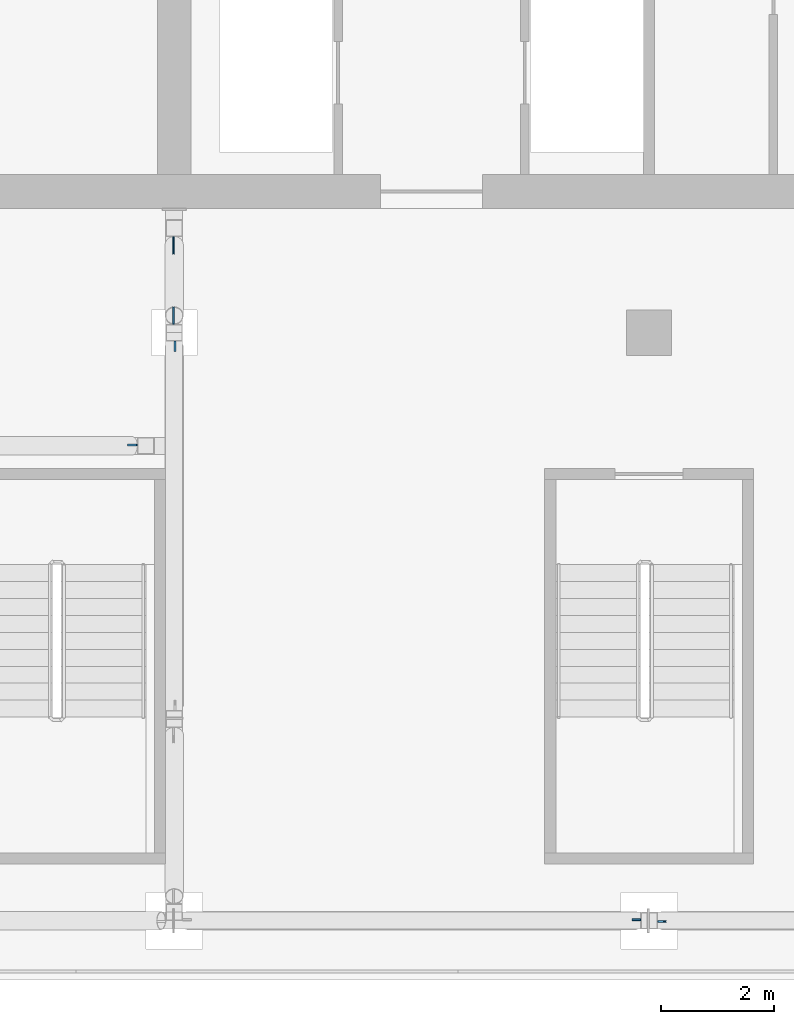
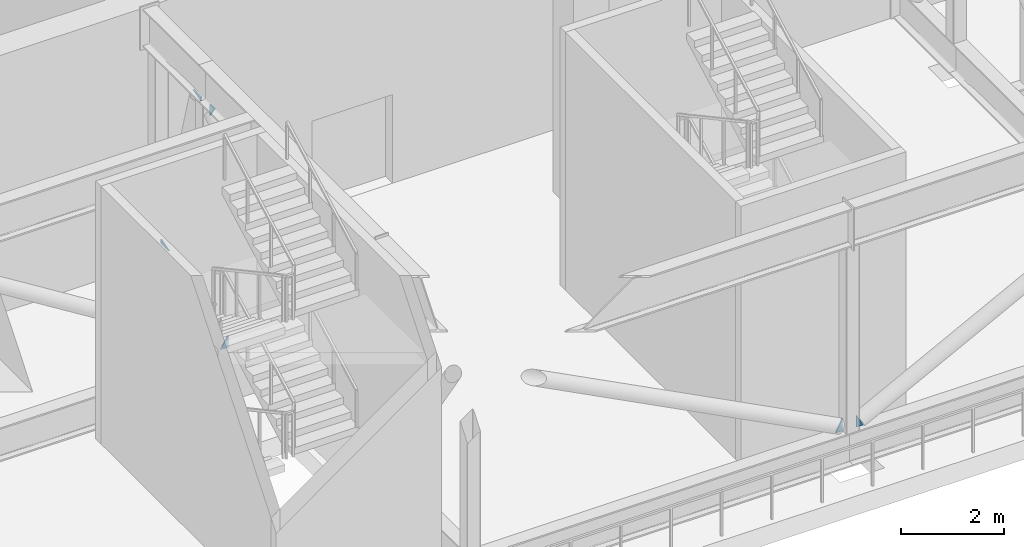
# One storey, part 11 of 24: 6 plates.
"""IFC4 building model written with IfcOpenShell, lengths in metres."""

from ifc_helpers import new_model, si_unit, direction, frame, origin, place, context, subcontext, project, spatial, polyline, outline, extrude, material, layer, layer_set, type_object, element, save


model = new_model("IFC4")

# Units and contexts
model_context = context("Model", 3, precision=1e-05, world=origin(), true_north=direction((0.0, 1.0)))
body_context = subcontext(model_context, "Body", "Model", "MODEL_VIEW")
ifc_project = project(units=[si_unit("LENGTHUNIT", "METRE"), si_unit("AREAUNIT", "SQUARE_METRE"), si_unit("VOLUMEUNIT", "CUBIC_METRE"), si_unit("PLANEANGLEUNIT", "RADIAN"), si_unit("MASSUNIT", "GRAM", prefix="KILO")], contexts=[model_context])

# Site, building, storey
site_placement = place(None, origin())
site = spatial("IfcSite", under=ifc_project, at=site_placement, CompositionType="ELEMENT")
building_placement = place(site_placement, origin())
building = spatial("IfcBuilding", under=site, at=building_placement, Name="Vermilion Ogive Tower", CompositionType="ELEMENT")
storey_placement = place(building_placement, frame((0.0, 0.0, 216.949951171875)))
storey = spatial("IfcBuildingStorey", under=building, at=storey_placement, Name="L57", CompositionType="ELEMENT", Elevation=216.949951171875)

# Plates
ifc_material = material(Name="Steel S355", Category="steel")
ifc_layer = layer(ifc_material, 0.030029296875)
ifc_layer_set = layer_set([ifc_layer], Name="Truss gusset plate 30")
plate_type = type_object("IfcPlateType", Name="Truss gusset plate 30", PredefinedType="USERDEFINED", material=ifc_layer_set)
plate_1_placement = place(storey_placement, frame((-9.050048828125, -12.60009765625, 1.072998046875), z_axis=(0.0, -1.0, 0.0), x_axis=(-0.535555164897, 0.0, -0.844500245916)))
element("IfcPlate", 1, at=plate_1_placement, inside=storey, type_object=plate_type, Name="Gusset plate L57-TR-EWW-12.6-D0A", ObjectType="GUSSET PLATE", PredefinedType="USERDEFINED", context=body_context, shape_type="SweptSolid", body=[
    extrude(outline(polyline([(0.0, 0.0), (0.32320798018702057, 0.0), (0.23050568235699517, 0.14617936385609087), (0.0, 0.0)])), origin(), (0.0, 0.0, -1.0), 0.030029296875),
])
plate_2_placement = place(storey_placement, frame((-8.39990234375, -8.89990234375, 0.8984375), z_axis=(1.0, 0.0, 0.0), x_axis=(0.0, -0.952538100641, -0.304419392988)))
element("IfcPlate", 2, at=plate_2_placement, inside=storey, type_object=plate_type, Name="Gusset plate L57-TR-NS-8.4-D0A", ObjectType="GUSSET PLATE", PredefinedType="USERDEFINED", context=body_context, shape_type="SweptSolid", body=[
    extrude(outline(polyline([(0.0, 0.0), (0.3232010645220949, 0.0), (0.029951419769116028, 0.09371895863239531), (0.0, 0.0)])), origin(), (0.0, 0.0, -1.0), 0.030029296875),
])
plate_3_placement = place(storey_placement, frame((-8.39990234375, -10.449951171875, 5.1015625), z_axis=(1.0, 0.0, 0.0), x_axis=(0.0, 0.952468022783, 0.30463858189)))
element("IfcPlate", 3, at=plate_3_placement, inside=storey, type_object=plate_type, Name="Gusset plate L57-TR-NS-8.4-D0B", ObjectType="GUSSET PLATE", PredefinedType="USERDEFINED", context=body_context, shape_type="SweptSolid", body=[
    extrude(outline(polyline([(0.0, 0.0), (0.32296851982621555, -1.3877787807814457e-17), (0.02997298547404947, 0.09371206376501819), (0.0, 0.0)])), origin(), (0.0, 0.0, -1.0), 0.030029296875),
])
plate_4_placement = place(storey_placement, frame((-8.39990234375, -10.75, 4.930419921875), z_axis=(-1.0, 0.0, 0.0), x_axis=(0.0, -0.551557775955, 0.834136691307)))
element("IfcPlate", 4, at=plate_4_placement, inside=storey, type_object=plate_type, Name="Gusset plate L57-TR-NS-8.4-D1A", ObjectType="GUSSET PLATE", PredefinedType="USERDEFINED", context=body_context, shape_type="SweptSolid", body=[
    extrude(outline(polyline([(0.0, 0.0), (0.3231259969847183, 0.0), (0.22482590507874928, 0.14866205680025996), (0.0, 0.0)])), origin(), (0.0, 0.0, -1.0), 0.030029296875),
])
for number, where, z_axis, x_axis, name in (
    (5, (-0.14990234375, -21.0, 1.085693359375), (0.0, -1.0, 0.0), (-0.468234676052, 0.0, -0.883604146744), "Gusset plate L57-TR-BELT-D1B"),
    (6, (0.14990234375, -21.0, 1.085693359375), (0.0, 1.0, 0.0), (0.468234676052, 0.0, -0.883604146744), "Gusset plate L57-TR-BELT-D2A"),
):
    element("IfcPlate", number, at=place(storey_placement, frame(where, z_axis=z_axis, x_axis=x_axis)), inside=storey, type_object=plate_type, Name=name, ObjectType="GUSSET PLATE", PredefinedType="USERDEFINED", context=body_context, shape_type="SweptSolid", body=[
        extrude(outline(polyline([(0.0, 0.0), (0.3232720583110956, -2.7755575615628914e-17), (0.2523966923071116, 0.13374867455590528), (0.0, 0.0)])), origin(), (0.0, 0.0, -1.0), 0.030029296875),
    ])

save(model, "model.ifc")
